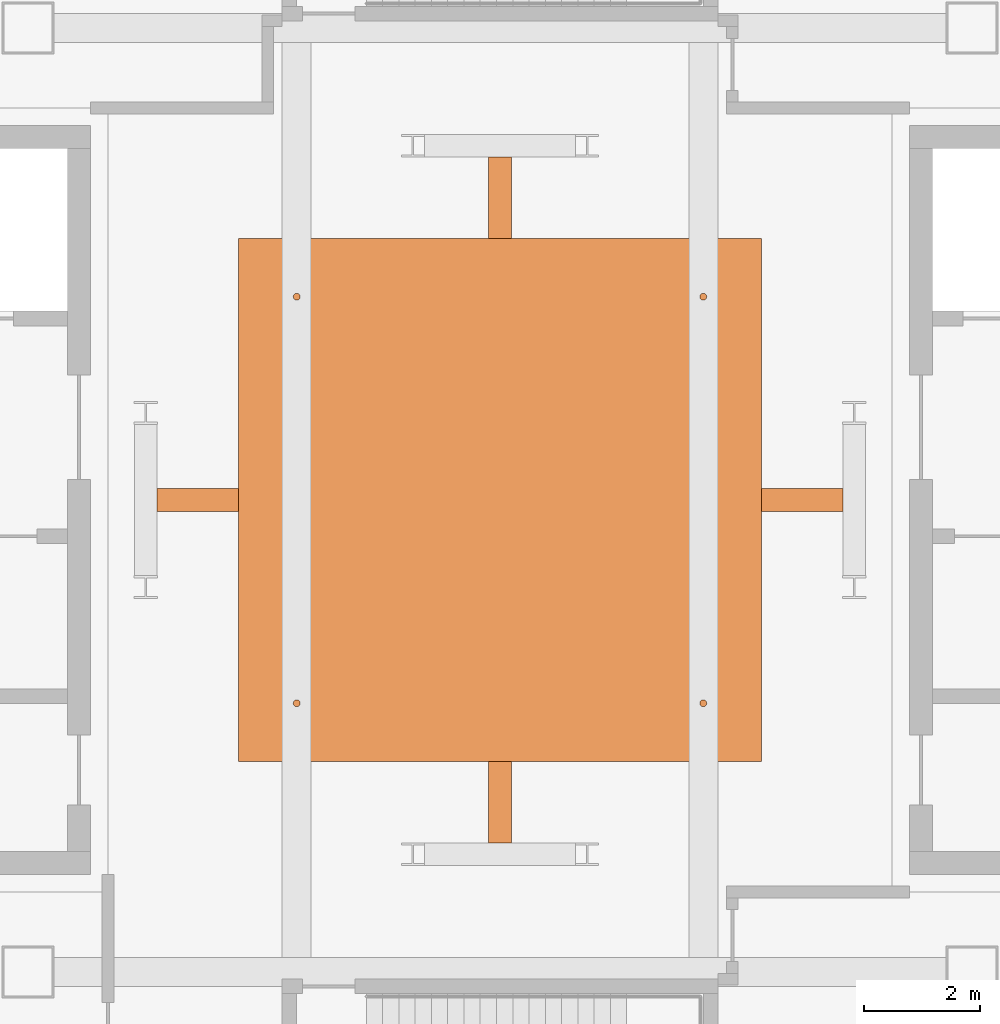
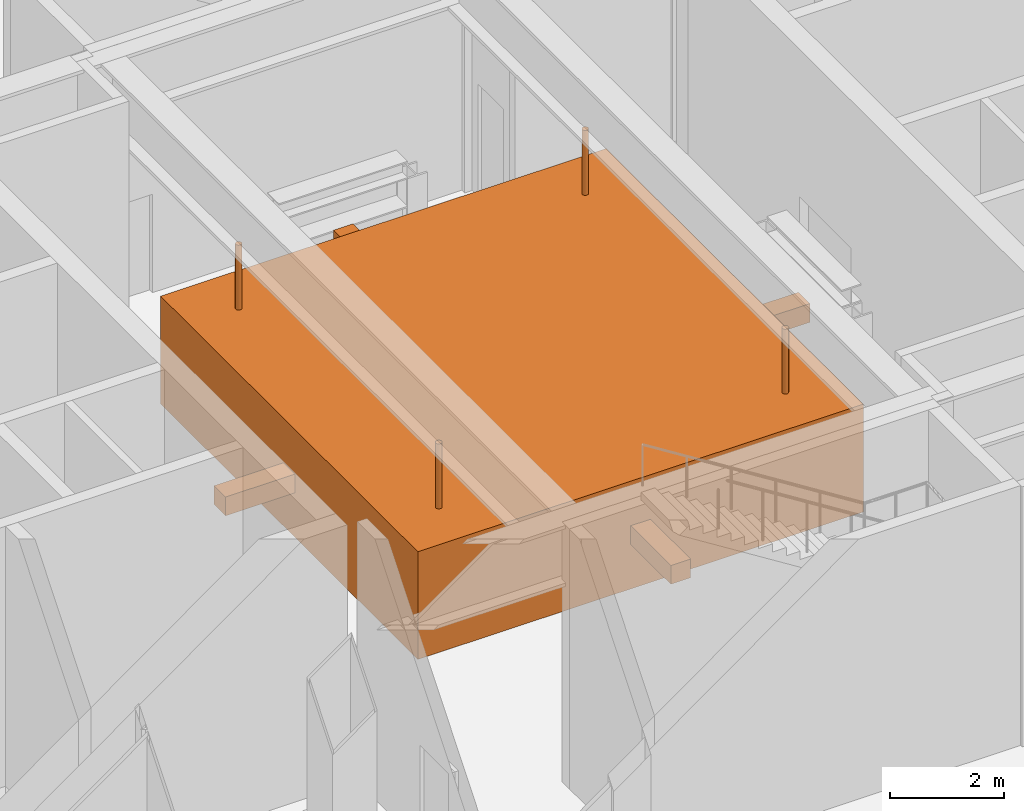
# One storey, part 17 of 17: 9 proxies.
"""IFC4 building model written with IfcOpenShell, lengths in metres."""

from ifc_helpers import new_model, si_unit, direction, frame, origin, origin_2d, place, context, subcontext, project, spatial, rectangle, circle, extrude, material, material_profile, profile_set, type_object, element, save


model = new_model("IFC4")

# Units and contexts
model_context = context("Model", 3, precision=1e-05, world=origin(), true_north=direction((0.0, 1.0)))
body_context = subcontext(model_context, "Body", "Model", "MODEL_VIEW")
ifc_project = project(units=[si_unit("LENGTHUNIT", "METRE"), si_unit("AREAUNIT", "SQUARE_METRE"), si_unit("VOLUMEUNIT", "CUBIC_METRE"), si_unit("PLANEANGLEUNIT", "RADIAN"), si_unit("MASSUNIT", "GRAM", prefix="KILO")], contexts=[model_context])

# Site, building, storey
site_placement = place(None, origin())
site = spatial("IfcSite", under=ifc_project, at=site_placement, CompositionType="ELEMENT")
building_placement = place(site_placement, origin())
building = spatial("IfcBuilding", under=site, at=building_placement, Name="Shamsa Quay Exchange Towers", CompositionType="ELEMENT")
storey_placement = place(building_placement, frame((0.0, 0.0, 278.300048828125)))
storey = spatial("IfcBuildingStorey", under=building, at=storey_placement, Name="L67", CompositionType="ELEMENT", Elevation=278.300048828125)

# Proxies
ifc_material_1 = material(Name="Steel S460", Category="steel")
ifc_material_profile = material_profile(ifc_material_1, circle(Radius=0.06005859375, at=origin_2d()), Name="R120")
ifc_profile_set = profile_set([ifc_material_profile], Name="Steel S460")
building_element_proxy_type_1 = type_object("IfcBuildingElementProxyType", Name="Damper hanger rod 120", PredefinedType="USERDEFINED", material=ifc_profile_set)
for number, where, name in (
    (1, (30.25, -3.5, 2.89990234375), "DAMPER CABLE T2 SW"),
    (2, (30.25, 3.5, 2.89990234375), "DAMPER CABLE T2 NW"),
    (3, (37.25, -3.5, 2.89990234375), "DAMPER CABLE T2 SE"),
    (4, (37.25, 3.5, 2.89990234375), "DAMPER CABLE T2 NE"),
):
    element("IfcBuildingElementProxy", number, at=place(storey_placement, frame(where)), inside=storey, type_object=building_element_proxy_type_1, Name=name, ObjectType="DAMPER CABLE", PredefinedType="USERDEFINED", context=body_context, shape_type="SweptSolid", body=[
        extrude(circle(Radius=0.06005859375, at=origin_2d()), origin(), (0.0, 0.0, 1.0), 1.385009765625),
    ])
ifc_material_2 = material(Name="Steel S355 shell with high-density concrete fill", Category="concrete")
building_element_proxy_type_2 = type_object("IfcBuildingElementProxyType", Name="Tuned mass damper block", PredefinedType="USERDEFINED", material=ifc_material_2)
proxy_placement = place(storey_placement, frame((33.75, 0.0, 0.60009765625)))
element("IfcBuildingElementProxy", 5, at=proxy_placement, inside=storey, type_object=building_element_proxy_type_2, Name="Tuned mass damper T2", ObjectType="TUNED MASS DAMPER", PredefinedType="USERDEFINED", context=body_context, shape_type="SweptSolid", body=[
    extrude(rectangle(XDim=9.0, YDim=9.0, at=origin_2d()), origin(), (0.0, 0.0, 1.0), 2.300048828125),
])
ifc_material_3 = material(Name="Steel S355", Category="steel")
building_element_proxy_type_3 = type_object("IfcBuildingElementProxyType", Name="Viscous damper unit", PredefinedType="USERDEFINED", material=ifc_material_3)
for number, where, name in (
    (6, (38.95166015625, 0.0, 1.550048828125), "VISCOUS DAMPER T2 E"),
    (7, (28.54833984375, 0.0, 1.550048828125), "VISCOUS DAMPER T2 W"),
):
    element("IfcBuildingElementProxy", number, at=place(storey_placement, frame(where)), inside=storey, type_object=building_element_proxy_type_3, Name=name, ObjectType="VISCOUS DAMPER", PredefinedType="USERDEFINED", context=body_context, shape_type="SweptSolid", body=[
        extrude(rectangle(XDim=1.403076171875, YDim=0.39990234375, at=origin_2d()), origin(), (0.0, 0.0, 1.0), 0.39990234375),
    ])
for number, where, name in (
    (8, (33.75, 5.20166015625, 1.550048828125), "VISCOUS DAMPER T2 N"),
    (9, (33.75, -5.20166015625, 1.550048828125), "VISCOUS DAMPER T2 S"),
):
    element("IfcBuildingElementProxy", number, at=place(storey_placement, frame(where)), inside=storey, type_object=building_element_proxy_type_3, Name=name, ObjectType="VISCOUS DAMPER", PredefinedType="USERDEFINED", context=body_context, shape_type="SweptSolid", body=[
        extrude(rectangle(XDim=0.39990234375, YDim=1.403076171875, at=origin_2d()), origin(), (0.0, 0.0, 1.0), 0.39990234375),
    ])

save(model, "model.ifc")
